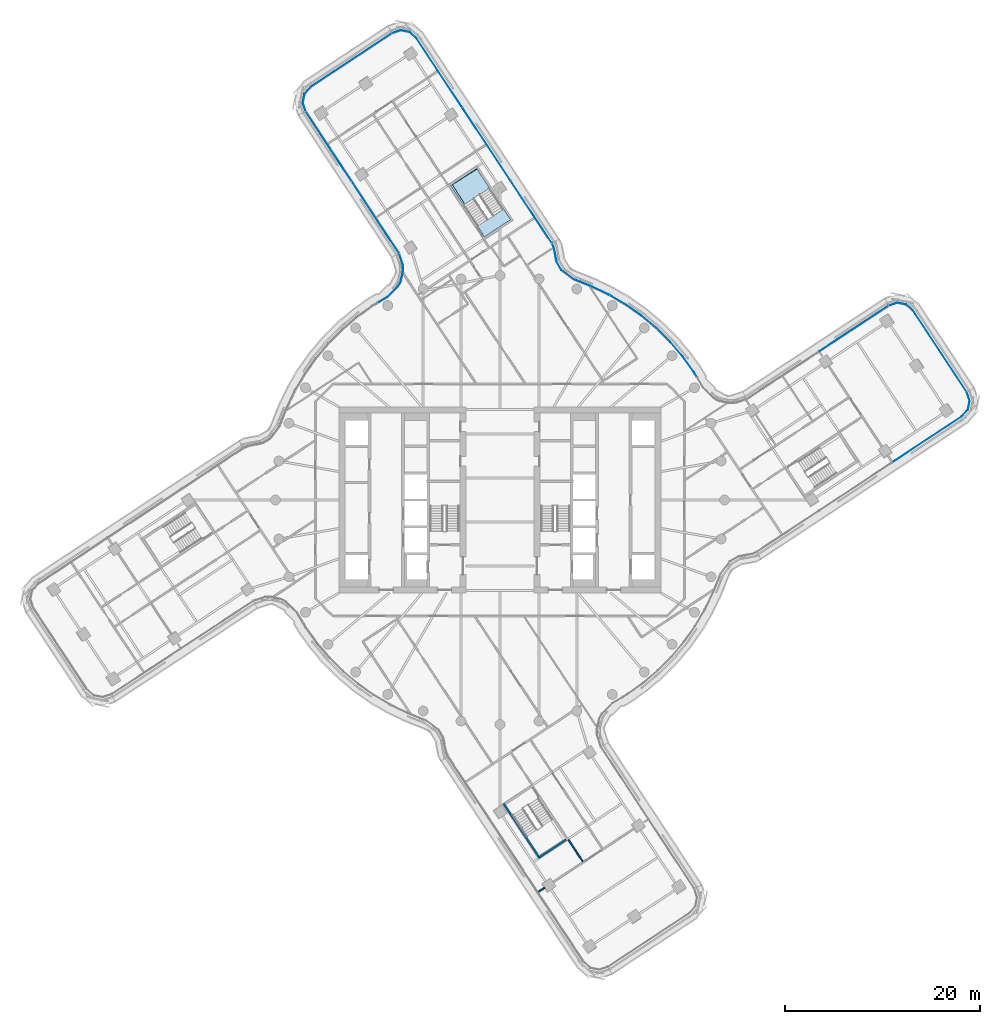
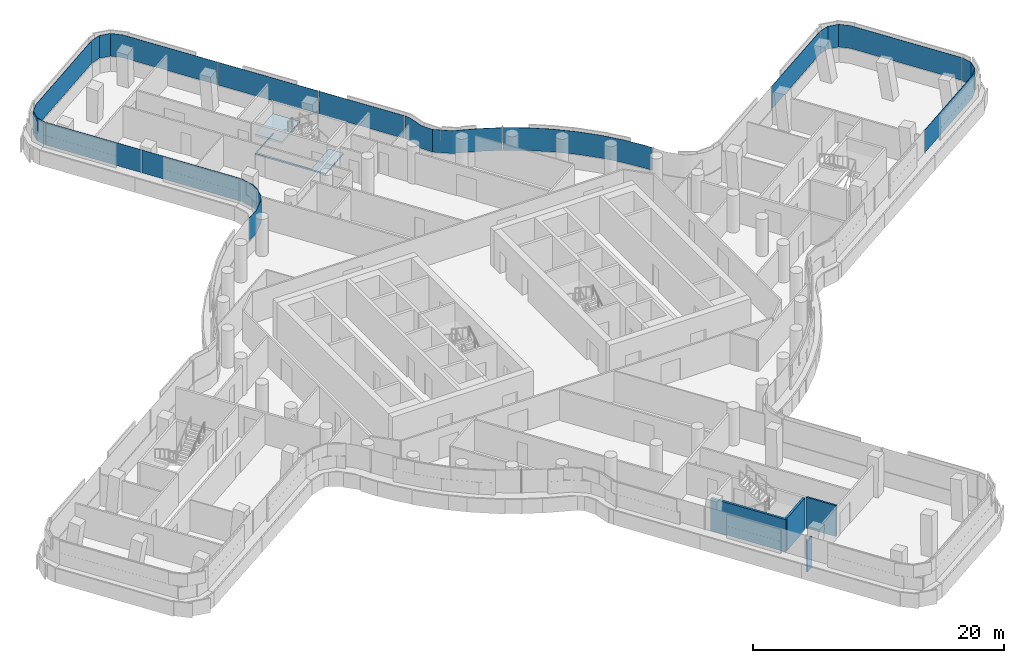
# One storey, part 21 of 35: 12 plates, 4 walls, 2 slabs, 9 elements without a shape of their own.
"""IFC4 building model written with IfcOpenShell, lengths in metres."""

from ifc_helpers import new_model, si_unit, direction, frame, frame_2d, origin, place, context, subcontext, project, spatial, polyline, rectangle, outline, extrude, material, layer, layer_set, type_object, element, aggregate, save


model = new_model("IFC4")

# Units and contexts
model_context = context("Model", 3, precision=1e-05, world=origin(), true_north=direction((0.0, 1.0)))
body_context = subcontext(model_context, "Body", "Model", "MODEL_VIEW")
ifc_project = project(units=[si_unit("LENGTHUNIT", "METRE"), si_unit("AREAUNIT", "SQUARE_METRE"), si_unit("VOLUMEUNIT", "CUBIC_METRE"), si_unit("PLANEANGLEUNIT", "RADIAN"), si_unit("MASSUNIT", "GRAM", prefix="KILO")], contexts=[model_context])

# Site, building, storey
site_placement = place(None, origin())
site = spatial("IfcSite", under=ifc_project, at=site_placement, CompositionType="ELEMENT")
building_placement = place(site_placement, origin())
building = spatial("IfcBuilding", under=site, at=building_placement, Name="Tamarind Cross Interchange Tower", CompositionType="ELEMENT")
storey_placement = place(building_placement, frame((0.0, 0.0, 155.5)))
storey = spatial("IfcBuildingStorey", under=building, at=storey_placement, Name="L38", CompositionType="ELEMENT", Elevation=155.5)

# Slab
ifc_material_1 = material(Name="Concrete C35", Category="concrete")
ifc_layer_1 = layer(ifc_material_1, 0.139892578125)
ifc_layer_set_1 = layer_set([ifc_layer_1], Name="Concrete C35")
slab_type_1 = type_object("IfcSlabType", Name="Composite slab 140 Concrete C35", PredefinedType="FLOOR", material=ifc_layer_set_1)
slab_1_placement = place(storey_placement, frame((0.0, 0.0, -0.139892578125)))
element("IfcSlab", 1, at=slab_1_placement, inside=storey, type_object=slab_type_1, Name="Floor slab L38", PredefinedType="FLOOR", context=body_context, shape_type="SweptSolid", body=[
    extrude(outline(polyline([(-2.38720703125, 33.964599609375), (-5.0576171875, 32.201416015625), (-1.58642578125, 26.944091796875), (1.083984375, 28.70703125), (0.40673828125, 29.73291015625), (0.361083984375, 29.802001953125), (-2.213134765625, 28.102294921875), (-4.870849609375, 32.2919921875), (-2.342041015625, 33.896240234375), (-2.38720703125, 33.964599609375)])), origin(), (0.0, 0.0, 1.0), 0.139892578125),
])

# Stair, slab
ifc_material_2 = material(Name="Exit stair")
stair_type = type_object("IfcStairType", Name="Exit stair", PredefinedType="HALF_TURN_STAIR", material=ifc_material_2)
stair_placement = place(storey_placement, origin())
stair = element("IfcStair", 2, at=stair_placement, inside=storey, type_object=stair_type, Name="L38 exit stair ST4", PredefinedType="HALF_TURN_STAIR")
ifc_material_3 = material(Name="Concrete C40", Category="concrete")
ifc_layer_2 = layer(ifc_material_3, 0.199951171875)
ifc_layer_set_2 = layer_set([ifc_layer_2], Name="Concrete C40")
slab_type_2 = type_object("IfcSlabType", Name="Stair landing", PredefinedType="LANDING", material=ifc_layer_set_2)
slab_2_placement = place(storey_placement, frame((0.0, 0.0, 1.675048828125)))
slab_2 = element("IfcSlab", 3, at=slab_2_placement, type_object=slab_type_2, Name="ST4 landing 1", PredefinedType="LANDING", context=body_context, shape_type="SweptSolid", body=[
    extrude(outline(polyline([(-1.05810546875, 31.95166015625), (-2.38720703125, 33.964599609375), (-5.0576171875, 32.201416015625), (-3.728759765625, 30.188720703125), (-1.05810546875, 31.95166015625)])), origin(), (0.0, 0.0, 1.0), 0.199951171875),
])
aggregate(stair, [slab_2])

# Curtain wall, plate
ifc_material_4 = material(Name="Aluminium 6063-T6", Category="aluminium")
ifc_layer_3 = layer(ifc_material_4, 0.159912109375)
ifc_layer_set_3 = layer_set([ifc_layer_3], Name="Aluminium 6063-T6")
curtain_wall_type = type_object("IfcCurtainWallType", Name="Office curtain wall, 9.0 m bays", PredefinedType="NOTDEFINED", material=ifc_layer_set_3)
curtain_wall_1_placement = place(storey_placement, origin())
curtain_wall_1 = element("IfcCurtainWall", 4, at=curtain_wall_1_placement, inside=storey, type_object=curtain_wall_type, Name="CWS-L38-00", PredefinedType="NOTDEFINED")
ifc_material_5 = material(Name="Laminated low-e glass 8+1.52+8", Category="glass")
ifc_layer_4 = layer(ifc_material_5, 0.028076171875)
ifc_layer_set_4 = layer_set([ifc_layer_4], Name="Laminated low-e glass 8+1.52+8")
plate_type = type_object("IfcPlateType", Name="Vision panel CW1", PredefinedType="CURTAIN_PANEL", material=ifc_layer_set_4)
plate_1_placement = place(storey_placement, frame((0.0, 0.0, 1.39990234375)))
plate_1 = element("IfcPlate", 5, at=plate_1_placement, type_object=plate_type, Name="CWP-L38-00-00", PredefinedType="CURTAIN_PANEL", context=body_context, shape_type="SweptSolid", body=[
    extrude(outline(polyline([(-11.095458984375, 47.778076171875), (-19.3701171875, 42.31494140625), (-20.000244140625, 41.6044921875), (-20.184814453125, 40.70263671875), (-19.893310546875, 39.828125), (-19.919921875, 39.819091796875), (-20.2138671875, 40.70068359375), (-20.026123046875, 41.617431640625), (-19.388671875, 42.33642578125), (-11.11083984375, 47.801513671875), (-11.095458984375, 47.778076171875)])), origin(), (0.0, 0.0, 1.0), 2.210205078125),
])
aggregate(curtain_wall_1, [plate_1])

# Curtain wall, plates
curtain_wall_2_placement = place(storey_placement, origin())
curtain_wall_2 = element("IfcCurtainWall", 6, at=curtain_wall_2_placement, inside=storey, type_object=curtain_wall_type, Name="CWS-L38-01", PredefinedType="NOTDEFINED")
plate_2_placement = place(storey_placement, frame((0.0, 0.0, 1.39990234375)))
plate_2 = element("IfcPlate", 7, at=plate_2_placement, type_object=plate_type, Name="CWP-L38-01-00", PredefinedType="CURTAIN_PANEL", context=body_context, shape_type="SweptSolid", body=[
    extrude(outline(polyline([(-19.868896484375, 39.77783203125), (-15.211181640625, 32.69140625), (-15.234619140625, 32.676025390625), (-19.892333984375, 39.762451171875), (-19.868896484375, 39.77783203125)])), origin(), (0.0, 0.0, 1.0), 2.210205078125),
])
plate_3_placement = place(storey_placement, frame((0.0, 0.0, 1.39990234375)))
plate_3 = element("IfcPlate", 8, at=plate_3_placement, type_object=plate_type, Name="CWP-L38-01-01", PredefinedType="CURTAIN_PANEL", context=body_context, shape_type="SweptSolid", body=[
    extrude(outline(polyline([(-15.17822265625, 32.64111328125), (-10.333984375, 25.270751953125), (-10.357421875, 25.25537109375), (-15.20166015625, 32.625732421875), (-15.17822265625, 32.64111328125)])), origin(), (0.0, 0.0, 1.0), 2.210205078125),
])
aggregate(curtain_wall_2, [plate_2, plate_3])

# Curtain wall, plate
curtain_wall_3_placement = place(storey_placement, origin())
curtain_wall_3 = element("IfcCurtainWall", 9, at=curtain_wall_3_placement, inside=storey, type_object=curtain_wall_type, Name="CWS-L38-02", PredefinedType="NOTDEFINED")
plate_4_placement = place(storey_placement, frame((0.0, 0.0, 1.39990234375)))
plate_4 = element("IfcPlate", 10, at=plate_4_placement, type_object=plate_type, Name="CWP-L38-02-00", PredefinedType="CURTAIN_PANEL", context=body_context, shape_type="SweptSolid", body=[
    extrude(outline(polyline([(-10.306640625, 25.2138671875), (-9.9306640625, 24.05615234375), (-9.90478515625, 23.475830078125), (-10.153076171875, 22.390869140625), (-10.429931640625, 21.877197265625), (-11.504150390625, 20.809814453125), (-12.51318359375, 20.202392578125), (-12.527587890625, 20.226318359375), (-11.521484375, 20.83203125), (-10.45263671875, 21.894287109375), (-10.1796875, 22.400634765625), (-9.932861328125, 23.478515625), (-9.95849609375, 24.051025390625), (-10.333251953125, 25.205078125), (-10.306640625, 25.2138671875)])), origin(), (0.0, 0.0, 1.0), 2.210205078125),
])
aggregate(curtain_wall_3, [plate_4])

curtain_wall_4_placement = place(storey_placement, origin())
curtain_wall_4 = element("IfcCurtainWall", 11, at=curtain_wall_4_placement, inside=storey, type_object=curtain_wall_type, Name="CWS-L38-11", PredefinedType="NOTDEFINED")
plate_5_placement = place(storey_placement, frame((0.0, 0.0, 1.39990234375)))
plate_5 = element("IfcPlate", 12, at=plate_5_placement, type_object=plate_type, Name="CWP-L38-11-02", PredefinedType="CURTAIN_PANEL", context=body_context, shape_type="SweptSolid", body=[
    extrude(outline(polyline([(40.1904296875, 3.878173828125), (47.279296875, 8.558349609375), (47.909423828125, 9.268798828125), (48.093994140625, 10.1708984375), (47.802490234375, 11.045166015625), (47.8291015625, 11.053955078125), (48.123046875, 10.172607421875), (47.935302734375, 9.255859375), (47.2978515625, 8.536865234375), (40.205810546875, 3.854736328125), (40.1904296875, 3.878173828125)])), origin(), (0.0, 0.0, 1.0), 2.210205078125),
])
aggregate(curtain_wall_4, [plate_5])

curtain_wall_5_placement = place(storey_placement, origin())
curtain_wall_5 = element("IfcCurtainWall", 13, at=curtain_wall_5_placement, inside=storey, type_object=curtain_wall_type, Name="CWS-L38-12", PredefinedType="NOTDEFINED")
plate_6_placement = place(storey_placement, frame((0.0, 0.0, 1.39990234375)))
plate_6 = element("IfcPlate", 14, at=plate_6_placement, type_object=plate_type, Name="CWP-L38-12-00", PredefinedType="CURTAIN_PANEL", context=body_context, shape_type="SweptSolid", body=[
    extrude(outline(polyline([(47.778076171875, 11.095458984375), (42.31494140625, 19.3701171875), (41.6044921875, 20.000244140625), (40.70263671875, 20.184814453125), (39.828125, 19.893310546875), (39.819091796875, 19.919921875), (40.70068359375, 20.2138671875), (41.617431640625, 20.026123046875), (42.33642578125, 19.388671875), (47.801513671875, 11.11083984375), (47.778076171875, 11.095458984375)])), origin(), (0.0, 0.0, 1.0), 2.210205078125),
])
aggregate(curtain_wall_5, [plate_6])

curtain_wall_6_placement = place(storey_placement, origin())
curtain_wall_6 = element("IfcCurtainWall", 15, at=curtain_wall_6_placement, inside=storey, type_object=curtain_wall_type, Name="CWS-L38-13", PredefinedType="NOTDEFINED")
plate_7_placement = place(storey_placement, frame((0.0, 0.0, 1.39990234375)))
plate_7 = element("IfcPlate", 16, at=plate_7_placement, type_object=plate_type, Name="CWP-L38-13-00", PredefinedType="CURTAIN_PANEL", context=body_context, shape_type="SweptSolid", body=[
    extrude(outline(polyline([(39.77783203125, 19.868896484375), (32.69140625, 15.211181640625), (32.676025390625, 15.234619140625), (39.762451171875, 19.892333984375), (39.77783203125, 19.868896484375)])), origin(), (0.0, 0.0, 1.0), 2.210205078125),
])
aggregate(curtain_wall_6, [plate_7])

# Curtain wall, plates
curtain_wall_7_placement = place(storey_placement, origin())
curtain_wall_7 = element("IfcCurtainWall", 17, at=curtain_wall_7_placement, inside=storey, type_object=curtain_wall_type, Name="CWS-L38-14", PredefinedType="NOTDEFINED")
plate_8_placement = place(storey_placement, frame((0.0, 0.0, 1.39990234375)))
plate_8 = element("IfcPlate", 18, at=plate_8_placement, type_object=plate_type, Name="CWP-L38-14-01", PredefinedType="CURTAIN_PANEL", context=body_context, shape_type="SweptSolid", body=[
    extrude(outline(polyline([(20.17138671875, 12.564453125), (19.853271484375, 13.093017578125), (18.7041015625, 14.687744140625), (17.42724609375, 16.18212890625), (16.031494140625, 17.56591796875), (14.526123046875, 18.829833984375), (12.921630859375, 19.965087890625), (11.25537109375, 20.9482421875), (11.269775390625, 20.972412109375), (12.936767578125, 19.988525390625), (14.543212890625, 18.85205078125), (16.05029296875, 17.586669921875), (17.44775390625, 16.201171875), (18.72607421875, 14.705078125), (19.87646484375, 13.1083984375), (20.1953125, 12.5791015625), (20.17138671875, 12.564453125)])), origin(), (0.0, 0.0, 1.0), 2.210205078125),
])
plate_9_placement = place(storey_placement, frame((0.0, 0.0, 1.39990234375)))
plate_9 = element("IfcPlate", 19, at=plate_9_placement, type_object=plate_type, Name="CWP-L38-14-02", PredefinedType="CURTAIN_PANEL", context=body_context, shape_type="SweptSolid", body=[
    extrude(outline(polyline([(11.20361328125, 20.97607421875), (9.457763671875, 21.8203125), (7.554443359375, 22.58447265625), (6.2763671875, 23.544677734375), (5.76708984375, 24.43603515625), (5.617919921875, 25.281982421875), (5.502685546875, 25.867919921875), (5.305419921875, 26.273681640625), (5.33056640625, 26.2861328125), (5.529541015625, 25.876953125), (5.6455078125, 25.287109375), (5.793701171875, 24.445556640625), (6.2978515625, 23.5634765625), (7.568359375, 22.609130859375), (9.46923828125, 21.845947265625), (11.2158203125, 21.001220703125), (11.20361328125, 20.97607421875)])), origin(), (0.0, 0.0, 1.0), 2.210205078125),
])
aggregate(curtain_wall_7, [plate_8, plate_9])

curtain_wall_8_placement = place(storey_placement, origin())
curtain_wall_8 = element("IfcCurtainWall", 20, at=curtain_wall_8_placement, inside=storey, type_object=curtain_wall_type, Name="CWS-L38-15", PredefinedType="NOTDEFINED")
plate_10_placement = place(storey_placement, frame((0.0, 0.0, 1.39990234375)))
plate_10 = element("IfcPlate", 21, at=plate_10_placement, type_object=plate_type, Name="CWP-L38-15-00", PredefinedType="CURTAIN_PANEL", context=body_context, shape_type="SweptSolid", body=[
    extrude(outline(polyline([(5.276611328125, 26.32421875), (1.10595703125, 32.641357421875), (1.12939453125, 32.65673828125), (5.300048828125, 26.339599609375), (5.276611328125, 26.32421875)])), origin(), (0.0, 0.0, 1.0), 2.210205078125),
])
plate_11_placement = place(storey_placement, frame((0.0, 0.0, 1.39990234375)))
plate_11 = element("IfcPlate", 22, at=plate_11_placement, type_object=plate_type, Name="CWP-L38-15-01", PredefinedType="CURTAIN_PANEL", context=body_context, shape_type="SweptSolid", body=[
    extrude(outline(polyline([(1.072998046875, 32.69140625), (-3.844970703125, 40.140380859375), (-3.82177734375, 40.15576171875), (1.09619140625, 32.706787109375), (1.072998046875, 32.69140625)])), origin(), (0.0, 0.0, 1.0), 2.210205078125),
])
plate_12_placement = place(storey_placement, frame((0.0, 0.0, 1.39990234375)))
plate_12 = element("IfcPlate", 23, at=plate_12_placement, type_object=plate_type, Name="CWP-L38-15-02", PredefinedType="CURTAIN_PANEL", context=body_context, shape_type="SweptSolid", body=[
    extrude(outline(polyline([(-3.878173828125, 40.1904296875), (-8.558349609375, 47.279296875), (-9.268798828125, 47.909423828125), (-10.1708984375, 48.093994140625), (-11.045166015625, 47.802490234375), (-11.053955078125, 47.8291015625), (-10.172607421875, 48.123046875), (-9.255859375, 47.935302734375), (-8.536865234375, 47.2978515625), (-3.854736328125, 40.205810546875), (-3.878173828125, 40.1904296875)])), origin(), (0.0, 0.0, 1.0), 2.210205078125),
])
aggregate(curtain_wall_8, [plate_10, plate_11, plate_12])

# Walls
ifc_material_6 = material(Name="Gypsum board partition on steel studs", Category="steel")
ifc_layer_5 = layer(ifc_material_6, 0.14990234375)
ifc_layer_set_5 = layer_set([ifc_layer_5], Name="Gypsum board partition on steel studs")
wall_type_1 = type_object("IfcWallType", Name="Partition 150 mm EI 120", PredefinedType="PARTITIONING", material=ifc_layer_set_5)
wall_1_placement = place(storey_placement, frame((7.009033203125, -34.79638671875, 0.0), z_axis=(0.0, 0.0, 1.0), x_axis=(0.550929813667, -0.834551580439, 0.0)))
element("IfcWall", 24, at=wall_1_placement, inside=storey, type_object=wall_type_1, Name="Partition L38-024", PredefinedType="PARTITIONING", context=body_context, shape_type="SweptSolid", body=[
    extrude(rectangle(XDim=2.6787109375, YDim=0.14990234375, at=frame_2d((1.33935546875, 0.0))), origin(), (0.0, 0.0, 1.0), 3.010009765625),
])
wall_2_placement = place(storey_placement, frame((3.94140625, -40.128173828125, 0.0), z_axis=(0.0, 0.0, 1.0), x_axis=(0.834439265327, 0.551099911523, 0.0)))
element("IfcWall", 25, at=wall_2_placement, inside=storey, type_object=wall_type_1, Name="Partition L38-063", PredefinedType="PARTITIONING", context=body_context, shape_type="SweptSolid", body=[
    extrude(rectangle(XDim=0.752197265625, YDim=0.14990234375, at=frame_2d((0.3759765625, 0.0))), origin(), (0.0, 0.0, 1.0), 3.010009765625),
])
ifc_layer_6 = layer(ifc_material_3, 0.199951171875)
ifc_layer_set_6 = layer_set([ifc_layer_6], Name="Concrete C40")
wall_type_2 = type_object("IfcWallType", Name="Stair shaft wall 200 mm Concrete C40", PredefinedType="SHEAR", material=ifc_layer_set_6)
wall_3_placement = place(storey_placement, frame((0.375244140625, -31.098876953125, -0.139892578125), z_axis=(0.0, 0.0, 1.0), x_axis=(0.550986370222, -0.834514241837, 0.0)))
element("IfcWall", 26, at=wall_3_placement, inside=storey, type_object=wall_type_2, Name="Core wall CWL-L38-ST6-C", PredefinedType="SHEAR", context=body_context, shape_type="SweptSolid", body=[
    extrude(rectangle(XDim=6.7001953125, YDim=0.199951171875, at=frame_2d((3.35009765625, 0.0))), origin(), (0.0, 0.0, 1.0), 3.14990234375),
])
wall_4_placement = place(storey_placement, frame((0.0, 0.0, -0.139892578125)))
element("IfcWall", 27, at=wall_4_placement, inside=storey, type_object=wall_type_2, Name="Core wall CWL-L38-ST6-CF", PredefinedType="SHEAR", context=body_context, shape_type="SweptSolid", body=[
    extrude(outline(polyline([(4.0400390625, -36.46826171875), (4.150390625, -36.635009765625), (6.82080078125, -34.8720703125), (6.71044921875, -34.705078125), (4.0400390625, -36.46826171875)])), origin(), (0.0, 0.0, 1.0), 3.14990234375),
])

save(model, "model.ifc")
